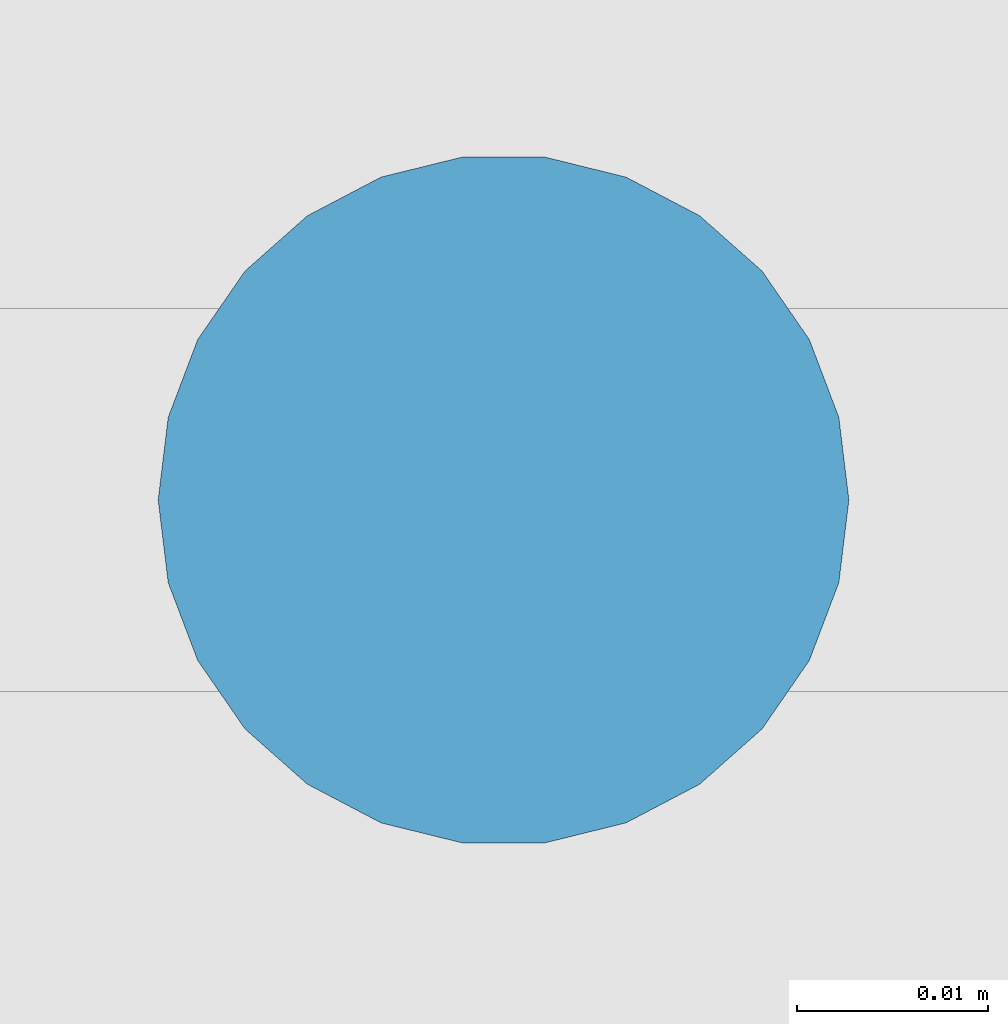
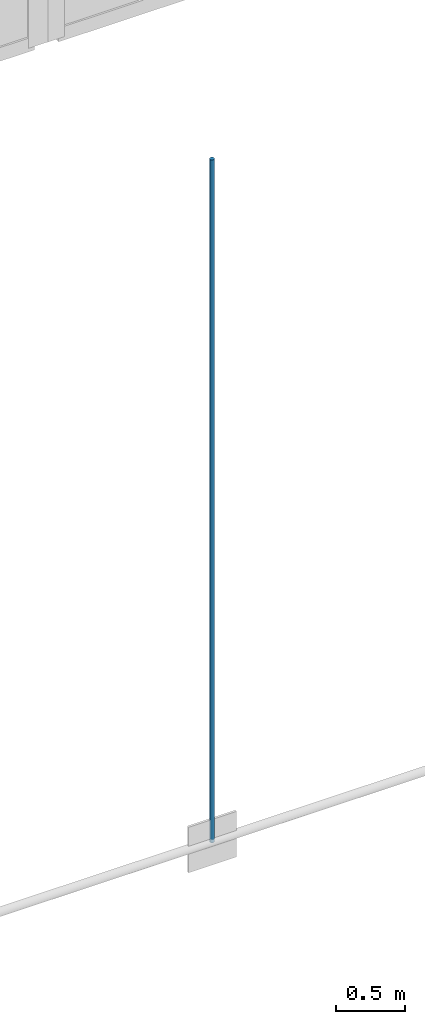
# One storey, part 176 of 321: 1 member.
"""IFC4 building model written with IfcOpenShell, lengths in metres."""

from ifc_helpers import new_model, si_unit, direction, frame, origin, origin_2d, place, context, subcontext, project, spatial, circle, extrude, material, material_profile, profile_set, type_object, element, save


model = new_model("IFC4")

# Units and contexts
model_context = context("Model", 3, precision=1e-05, world=origin(), true_north=direction((0.0, 1.0)))
body_context = subcontext(model_context, "Body", "Model", "MODEL_VIEW")
ifc_project = project(units=[si_unit("LENGTHUNIT", "METRE"), si_unit("AREAUNIT", "SQUARE_METRE"), si_unit("VOLUMEUNIT", "CUBIC_METRE"), si_unit("PLANEANGLEUNIT", "RADIAN"), si_unit("MASSUNIT", "GRAM", prefix="KILO")], contexts=[model_context])

# Site, building, storey
site_placement = place(None, origin())
site = spatial("IfcSite", under=ifc_project, at=site_placement, CompositionType="ELEMENT")
building_placement = place(site_placement, origin())
building = spatial("IfcBuilding", under=site, at=building_placement, Name="Ravi Spectrum Wholesale Market", CompositionType="ELEMENT")
storey_placement = place(building_placement, frame((0.0, 0.0, 10.800048828125)))
storey = spatial("IfcBuildingStorey", under=building, at=storey_placement, Name="L02", CompositionType="ELEMENT", Elevation=10.800048828125)

# Member
ifc_material = material(Name="Steel S355", Category="steel")
ifc_material_profile = material_profile(ifc_material, circle(Radius=0.01806640625, at=origin_2d()))
ifc_profile_set = profile_set([ifc_material_profile], Name="Steel S355")
member_type = type_object("IfcMemberType", Name="ROD 36 hanger", PredefinedType="STRUT", material=ifc_profile_set)
member_placement = place(storey_placement, frame((70.0, 186.0, 0.023193359375), z_axis=(0.0, 0.0, 1.0), x_axis=(1.0, 0.0, 0.0)))
element("IfcMember", 1, at=member_placement, inside=storey, type_object=member_type, Name="H1-MB-L02-1132", PredefinedType="STRUT", context=body_context, shape_type="SweptSolid", body=[
    extrude(circle(Radius=0.01806640625, at=origin_2d()), origin(), (0.0, 0.0, 1.0), 6.002197265625),
])

save(model, "model.ifc")
